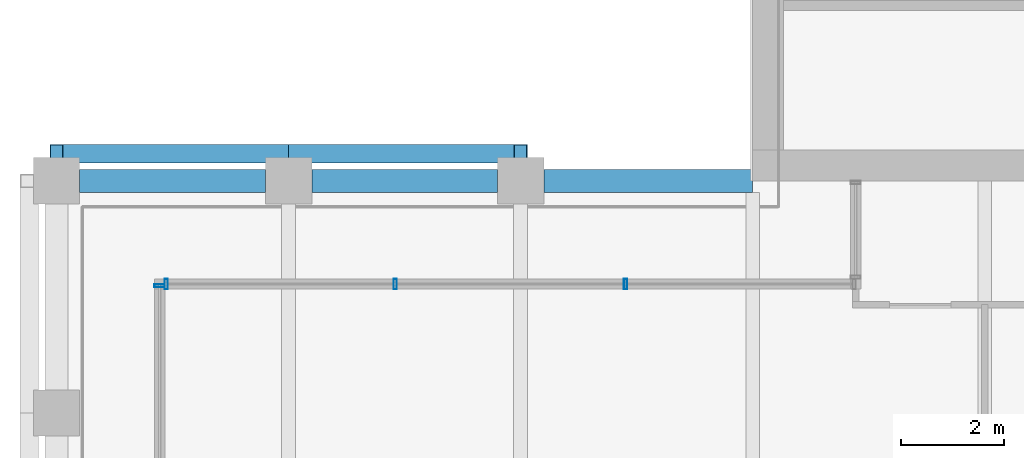
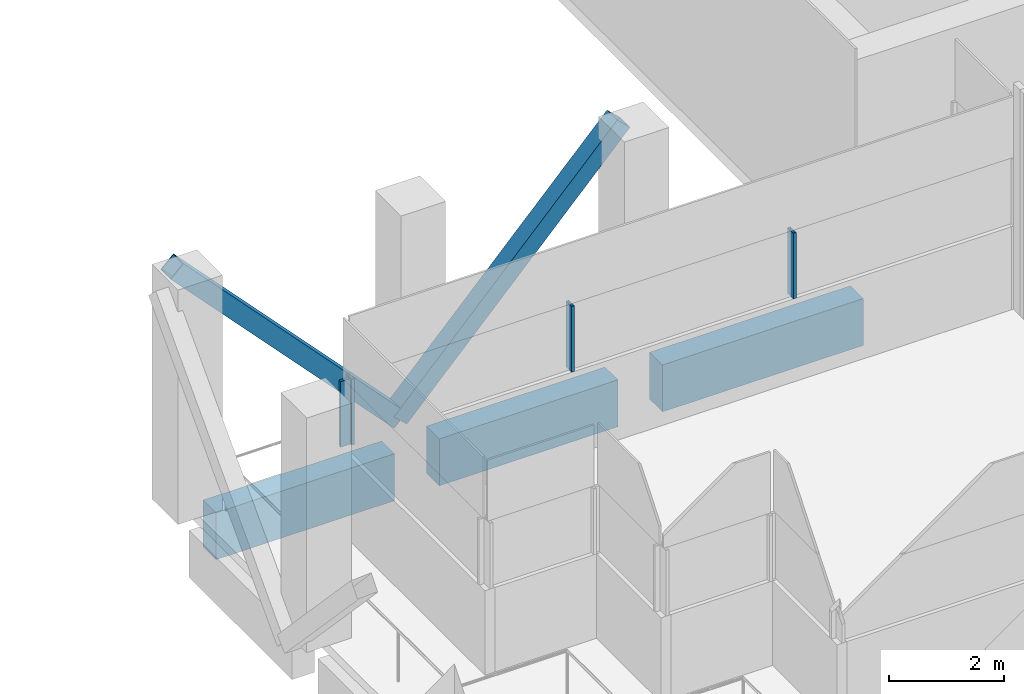
# One storey, part 4 of 34: 6 members, 3 beams, 2 elements without a shape of their own.
"""IFC4 building model written with IfcOpenShell, lengths in metres."""

from ifc_helpers import new_model, si_unit, direction, frame, origin, origin_2d, place, context, subcontext, project, spatial, rectangle, hollow_rectangle, extrude, material, material_profile, profile_set, type_object, element, aggregate, save


model = new_model("IFC4")

# Units and contexts
model_context = context("Model", 3, precision=1e-05, world=origin(), true_north=direction((0.0, 1.0)))
body_context = subcontext(model_context, "Body", "Model", "MODEL_VIEW")
ifc_project = project(units=[si_unit("LENGTHUNIT", "METRE"), si_unit("AREAUNIT", "SQUARE_METRE"), si_unit("VOLUMEUNIT", "CUBIC_METRE"), si_unit("PLANEANGLEUNIT", "RADIAN"), si_unit("MASSUNIT", "GRAM", prefix="KILO")], contexts=[model_context])

# Site, building, storey
site_placement = place(None, origin())
site = spatial("IfcSite", under=ifc_project, at=site_placement, CompositionType="ELEMENT")
building_placement = place(site_placement, origin())
building = spatial("IfcBuilding", under=site, at=building_placement, Name="Altepetl Exchange Towers", CompositionType="ELEMENT")
storey_placement = place(building_placement, frame((0.0, 0.0, 190.60009765625)))
storey = spatial("IfcBuildingStorey", under=building, at=storey_placement, Name="L48 Refuge", CompositionType="ELEMENT", Elevation=190.60009765625)

# Members
ifc_material_1 = material(Name="Steel S355", Category="steel")
ifc_material_profile_1 = material_profile(ifc_material_1, hollow_rectangle(XDim=0.35595703125, YDim=0.35595703125, WallThickness=0.014892578125, at=origin_2d()), Name="HSS356X356X15.9")
ifc_profile_set_1 = profile_set([ifc_material_profile_1], Name="Steel S355")
member_type_1 = type_object("IfcMemberType", Name="Belt diagonal HSS356X356X15.9", PredefinedType="BRACE", material=ifc_profile_set_1)
for number, where, z_axis, x_axis, name in (
    (1, (36.0, 41.030029296875, 4.75), (-0.687744647911, 0.0, -0.725952683906), (0.0, -1.0, 0.0), "brc:A:L48:021"),
    (2, (31.5, 41.030029296875, 0.0), (-0.687744647911, 0.0, 0.725952683906), (0.0, -1.0, 0.0), "brc:A:L48:022"),
):
    element("IfcMember", number, at=place(storey_placement, frame(where, z_axis=z_axis, x_axis=x_axis)), inside=storey, type_object=member_type_1, Name=name, PredefinedType="BRACE", context=body_context, shape_type="SweptSolid", body=[
        extrude(hollow_rectangle(XDim=0.35595703125, YDim=0.35595703125, WallThickness=0.014892578125, at=origin_2d()), origin(), (0.0, 0.0, 1.0), 6.543212890625),
    ])

# Curtain wall, members
ifc_material_2 = material(Name="Aluminium 6063-T6 glazing", Category="aluminium")
curtain_wall_type = type_object("IfcCurtainWallType", Name="Refuge slit glazing system", PredefinedType="NOTDEFINED", material=ifc_material_2)
curtain_wall_1_placement = place(storey_placement, origin())
curtain_wall_1 = element("IfcCurtainWall", 3, at=curtain_wall_1_placement, inside=storey, type_object=curtain_wall_type, Name="CW3 run", PredefinedType="NOTDEFINED")
ifc_material_3 = material(Name="Aluminium 6063-T6", Category="aluminium")
ifc_material_profile_2 = material_profile(ifc_material_3, hollow_rectangle(XDim=0.06005859375, YDim=0.199951171875, WallThickness=0.0029296875, at=origin_2d()), Name="Mullion 60x200 aluminium")
ifc_profile_set_2 = profile_set([ifc_material_profile_2], Name="Aluminium 6063-T6")
member_type_2 = type_object("IfcMemberType", Name="Mullion 60x200 aluminium", PredefinedType="MULLION", material=ifc_profile_set_2)
member_1_placement = place(storey_placement, frame((38.033447265625, 38.5, 1.7998046875), z_axis=(0.0, 0.0, 1.0), x_axis=(-1.0, 0.0, 0.0)))
member_1 = element("IfcMember", 4, at=member_1_placement, type_object=member_type_2, Name="MU2 mullion", PredefinedType="MULLION", context=body_context, shape_type="SweptSolid", body=[
    extrude(hollow_rectangle(XDim=0.06005859375, YDim=0.199951171875, WallThickness=0.0029296875, at=origin_2d()), origin(), (0.0, 0.0, 1.0), 1.400146484375),
])
member_2_placement = place(storey_placement, frame((33.566650390625, 38.5, 1.7998046875), z_axis=(0.0, 0.0, 1.0), x_axis=(-1.0, 0.0, 0.0)))
member_2 = element("IfcMember", 5, at=member_2_placement, type_object=member_type_2, Name="MU2 mullion", PredefinedType="MULLION", context=body_context, shape_type="SweptSolid", body=[
    extrude(hollow_rectangle(XDim=0.06005859375, YDim=0.199951171875, WallThickness=0.0029296875, at=origin_2d()), origin(), (0.0, 0.0, 1.0), 1.400146484375),
])
member_3_placement = place(storey_placement, frame((29.1298828125, 38.5, 1.7998046875), z_axis=(0.0, 0.0, 1.0), x_axis=(-1.0, 0.0, 0.0)))
member_3 = element("IfcMember", 6, at=member_3_placement, type_object=member_type_2, Name="MU2 mullion", PredefinedType="MULLION", context=body_context, shape_type="SweptSolid", body=[
    extrude(hollow_rectangle(XDim=0.06005859375, YDim=0.199951171875, WallThickness=0.0029296875, at=origin_2d()), origin(), (0.0, 0.0, 1.0), 1.400146484375),
])
aggregate(curtain_wall_1, [member_1, member_2, member_3])

# Curtain wall, member
curtain_wall_2_placement = place(storey_placement, origin())
curtain_wall_2 = element("IfcCurtainWall", 7, at=curtain_wall_2_placement, inside=storey, type_object=curtain_wall_type, Name="CW3 run", PredefinedType="NOTDEFINED")
member_4_placement = place(storey_placement, frame((29.0, 38.469970703125, 1.7998046875), z_axis=(0.0, 0.0, 1.0), x_axis=(0.0, -1.0, 0.0)))
member_4 = element("IfcMember", 8, at=member_4_placement, type_object=member_type_2, Name="MU2 mullion", PredefinedType="MULLION", context=body_context, shape_type="SweptSolid", body=[
    extrude(hollow_rectangle(XDim=0.06005859375, YDim=0.199951171875, WallThickness=0.0029296875, at=origin_2d()), origin(), (0.0, 0.0, 1.0), 1.400146484375),
])
aggregate(curtain_wall_2, [member_4])

# Beams
ifc_material_4 = material(Name="Concrete C50/60 precast with tezontle facing", Category="concrete")
ifc_material_profile_3 = material_profile(ifc_material_4, rectangle(XDim=0.449951171875, YDim=1.0, at=origin_2d()), Name="450 x 1000")
ifc_profile_set_3 = profile_set([ifc_material_profile_3], Name="Concrete C50/60 precast with tezontle facing")
beam_type = type_object("IfcBeamType", Name="Spandrel beam 450x1000 tezontle", PredefinedType="SPANDREL", material=ifc_profile_set_3)
beam_placement = place(storey_placement, frame((40.5, 40.5, -0.7001953125), z_axis=(-1.0, 0.0, 0.0), x_axis=(0.0, -1.0, 0.0)))
element("IfcBeam", 9, at=beam_placement, inside=storey, type_object=beam_type, Name="sp:A:L48:033", PredefinedType="SPANDREL", context=body_context, shape_type="SweptSolid", body=[
    extrude(rectangle(XDim=0.449951171875, YDim=1.0, at=origin_2d()), origin(), (0.0, 0.0, 1.0), 4.050048828125),
])
for number, where, z_axis, x_axis, name in (
    (10, (35.550048828125, 40.5, -0.7001953125), (-1.0, 0.0, 0.0), (0.0, -1.0, 0.0), "sp:A:L48:034"),
    (11, (31.050048828125, 40.5, -0.7001953125), (-1.0, 0.0, 0.0), (0.0, -1.0, 0.0), "sp:A:L48:035"),
):
    element("IfcBeam", number, at=place(storey_placement, frame(where, z_axis=z_axis, x_axis=x_axis)), inside=storey, type_object=beam_type, Name=name, PredefinedType="SPANDREL", context=body_context, shape_type="SweptSolid", body=[
        extrude(rectangle(XDim=0.449951171875, YDim=1.0, at=origin_2d()), origin(), (0.0, 0.0, 1.0), 3.60009765625),
    ])

save(model, "model.ifc")
